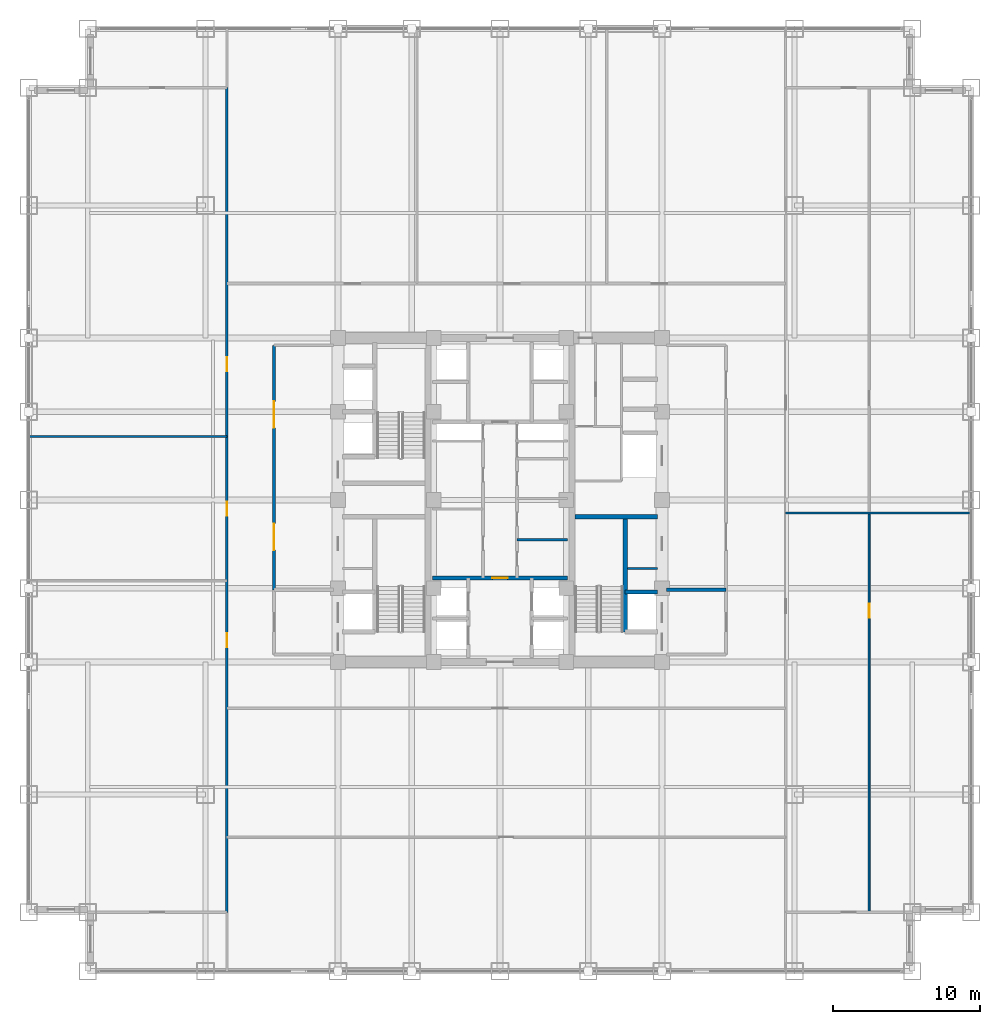
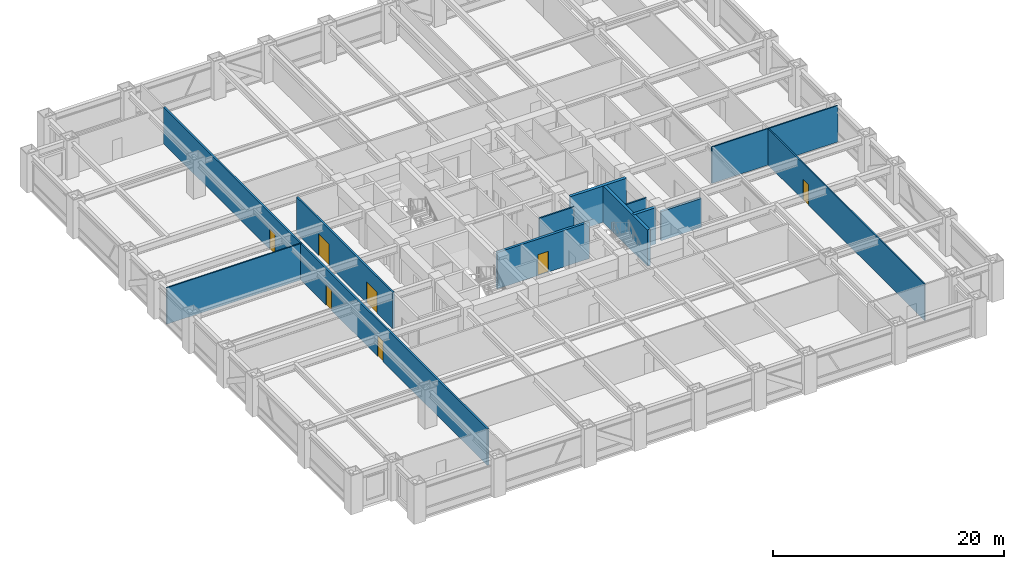
# One storey, part 24 of 28: 12 walls, 7 doors, 7 openings.
"""IFC4 building model written with IfcOpenShell, lengths in metres."""

import ifcopenshell
import ifcopenshell.guid

model = None  # the IFC model being written
_history = None  # IfcOwnerHistory: only IFC2X3 demands one
_inside = {}  # id of a spatial element -> (the spatial element, [elements in it])
_under = {}  # id of a project, library or spatial element -> (it, [spatial elements below it])
_declared = {}  # id of a project -> (the project, [libraries it declares])
_typed = {}  # id of a type object -> (the type object, [elements of that type])
_made_of = {}  # id of a material, layer set ... -> (it, [elements and type objects made of it])


def new_model(schema):
    """Start an empty IFC model of exactly this schema.

    Asked for "IFC4X3", IfcOpenShell would pick the latest addendum, in which some entities
    have other attributes; the version numbers below select the first issue.
    IFC2X3 requires an IfcOwnerHistory on every rooted entity: one is made here for all.
    """
    global model, _history
    if schema == "IFC4X3":
        model = ifcopenshell.file(schema_version=(4, 3, 0, 0))
    else:
        model = ifcopenshell.file(schema=schema)
    _inside.clear()
    _under.clear()
    _declared.clear()
    _typed.clear()
    _made_of.clear()
    _history = None
    if model.schema == "IFC2X3":
        org = make("IfcOrganization", Name="unknown")
        user = make(
            "IfcPersonAndOrganization",
            ThePerson=make("IfcPerson", FamilyName="unknown"),
            TheOrganization=org,
        )
        app = make(
            "IfcApplication",
            ApplicationDeveloper=org,
            Version="unknown",
            ApplicationFullName="unknown",
            ApplicationIdentifier="unknown",
        )
        _history = make(
            "IfcOwnerHistory",
            OwningUser=user,
            OwningApplication=app,
            ChangeAction="ADDED",
            CreationDate=0,
        )
    return model


def make(cls, **values):
    """One entity of the class cls with the attributes given. An attribute that is None is left unset."""
    return model.create_entity(
        cls, **{name: value for name, value in values.items() if value is not None}
    )


def rooted(cls, **values):
    """An entity with a GlobalId (a new one), such as an element, a storey or a relation."""
    return make(cls, GlobalId=ifcopenshell.guid.new(), OwnerHistory=_history, **values)


def si_unit(unit_type, name, prefix=None):
    """IfcSIUnit, for example si_unit("LENGTHUNIT", "METRE", prefix="MILLI")."""
    return make("IfcSIUnit", UnitType=unit_type, Prefix=prefix, Name=name)


def assignment(units):
    """IfcUnitAssignment: the units of a project."""
    return None if units is None else make("IfcUnitAssignment", Units=units)


def point(xyz):
    """IfcCartesianPoint."""
    return None if xyz is None else make("IfcCartesianPoint", Coordinates=xyz)


def direction(xyz):
    """IfcDirection."""
    return None if xyz is None else make("IfcDirection", DirectionRatios=xyz)


def frame(location, z_axis=None, x_axis=None):
    """IfcAxis2Placement3D, a coordinate frame: its origin and axes. An axis left out is left unset."""
    return make(
        "IfcAxis2Placement3D",
        Location=point(location),
        Axis=direction(z_axis),
        RefDirection=direction(x_axis),
    )


def frame_2d(location, x_axis=None):
    """IfcAxis2Placement2D, a coordinate frame in the plane: its origin and x axis."""
    return make(
        "IfcAxis2Placement2D", Location=point(location), RefDirection=direction(x_axis)
    )


def origin():
    """The frame at (0, 0, 0) with its axes left unset."""
    return frame((0.0, 0.0, 0.0))


def place(relative_to, where):
    """IfcLocalPlacement: puts the frame where relative to a parent placement (None: the world)."""
    return make(
        "IfcLocalPlacement", PlacementRelTo=relative_to, RelativePlacement=where
    )


def context(
    kind, dimensions, precision=None, world=None, true_north=None, identifier=None
):
    """IfcGeometricRepresentationContext, for example the 3D "Model" context."""
    return make(
        "IfcGeometricRepresentationContext",
        ContextIdentifier=identifier,
        ContextType=kind,
        CoordinateSpaceDimension=dimensions,
        Precision=precision,
        WorldCoordinateSystem=world,
        TrueNorth=true_north,
    )


def subcontext(parent, identifier, kind, view, scale=None):
    """IfcGeometricRepresentationSubContext, for example "Body" below "Model"."""
    return make(
        "IfcGeometricRepresentationSubContext",
        ContextIdentifier=identifier,
        ContextType=kind,
        ParentContext=parent,
        TargetScale=scale,
        TargetView=view,
    )


def project(units=None, contexts=None):
    """IfcProject with its units and contexts."""
    return rooted(
        "IfcProject",
        Name="project",
        RepresentationContexts=contexts,
        UnitsInContext=assignment(units),
    )


def spatial(cls, under=None, at=None, **own):
    """A site, building, storey or space (cls), placed at a placement, below another one or the project."""
    s = rooted(cls, ObjectPlacement=at, **own)
    if under is not None:
        _under.setdefault(under.id(), (under, []))[1].append(s)
    return s


def profile(cls, at=None, kind="AREA", **sizes):
    """A parametric profile (cls). Its sizes go by their IFC names, for example OverallWidth=200.0."""
    return make(cls, ProfileType=kind, Position=at, **sizes)


def rectangle(**sizes):
    """IfcRectangleProfileDef."""
    return profile("IfcRectangleProfileDef", **sizes)


def extrude(swept, where, along, depth):
    """IfcExtrudedAreaSolid: the profile swept, set in the frame where, extruded along a direction by depth."""
    return make(
        "IfcExtrudedAreaSolid",
        SweptArea=swept,
        Position=where,
        ExtrudedDirection=direction(along),
        Depth=depth,
    )


def shape(context_of_items, identifier, shape_type, items):
    """IfcShapeRepresentation: the items that make up one representation, for example the "Body"."""
    return make(
        "IfcShapeRepresentation",
        ContextOfItems=context_of_items,
        RepresentationIdentifier=identifier,
        RepresentationType=shape_type,
        Items=items,
    )


def source(mapping_origin, context_of_items, identifier, shape_type, items):
    """IfcRepresentationMap: a shape defined once, which mapped items show again and again."""
    return make(
        "IfcRepresentationMap",
        MappingOrigin=mapping_origin,
        MappedRepresentation=shape(context_of_items, identifier, shape_type, items),
    )


def transform(
    local_origin,
    x_axis=None,
    y_axis=None,
    z_axis=None,
    scale=None,
    scale2=None,
    scale3=None,
    uniform=True,
):
    """IfcCartesianTransformationOperator3D, or its non-uniform kind. x_axis, y_axis, z_axis: its Axis1, 2, 3."""
    if uniform:
        return make(
            "IfcCartesianTransformationOperator3D",
            Axis1=direction(x_axis),
            Axis2=direction(y_axis),
            LocalOrigin=point(local_origin),
            Scale=scale,
            Axis3=direction(z_axis),
        )
    return make(
        "IfcCartesianTransformationOperator3DnonUniform",
        Axis1=direction(x_axis),
        Axis2=direction(y_axis),
        LocalOrigin=point(local_origin),
        Scale=scale,
        Axis3=direction(z_axis),
        Scale2=scale2,
        Scale3=scale3,
    )


def mapped(mapping_source, mapping_target):
    """IfcMappedItem: shows the shape of a source again, moved by a transform."""
    return make(
        "IfcMappedItem", MappingSource=mapping_source, MappingTarget=mapping_target
    )


def material(Name=None, Category=None):
    """IfcMaterial."""
    return make("IfcMaterial", Name=Name, Category=Category)


def layer(
    of_material, thickness, ventilated=None, Name=None, Category=None, Priority=None
):
    """IfcMaterialLayer: one layer of a wall or slab, of a material (None: an air gap)."""
    return make(
        "IfcMaterialLayer",
        Material=of_material,
        LayerThickness=thickness,
        IsVentilated=ventilated,
        Name=Name,
        Category=Category,
        Priority=Priority,
    )


def layer_set(layers, Name=None):
    """IfcMaterialLayerSet."""
    return make("IfcMaterialLayerSet", MaterialLayers=layers, LayerSetName=Name)


def made_of(thing, what):
    """Note that an element or type object is made of a material, layer set ...; save() writes the relation."""
    if what is not None:
        _made_of.setdefault(what.id(), (what, []))[1].append(thing)
    return thing


def type_object(cls, material=None, **own):
    """A type object (cls), such as IfcWallType, which elements share."""
    return made_of(rooted(cls, **own), material)


def element(
    cls,
    number,
    at=None,
    inside=None,
    cuts=None,
    type_object=None,
    material=None,
    context=None,
    identifier="Body",
    shape_type=None,
    held_by="IfcProductDefinitionShape",
    body=None,
    shapes=None,
    **own,
):
    """One element of the class cls, such as IfcWall. Its Tag is "e" and its number.

    at: its placement. inside: the storey or other place that contains it. cuts: it is an
    opening in that element (IfcRelVoidsElement). A single representation is given by context,
    identifier, shape_type and body (its items); several are given by shapes. held_by: the class
    of the entity that holds the representations. save() writes the other relations.
    """
    e = rooted(cls, Tag="e%d" % number, ObjectPlacement=at, **own)
    if body is not None:
        shapes = [shape(context, identifier, shape_type, body)]
    if shapes is not None:
        e.Representation = make(held_by, Representations=shapes)
    if inside is not None:
        _inside.setdefault(inside.id(), (inside, []))[1].append(e)
    if cuts is not None:
        rooted(
            "IfcRelVoidsElement", RelatingBuildingElement=cuts, RelatedOpeningElement=e
        )
    if type_object is not None:
        _typed.setdefault(type_object.id(), (type_object, []))[1].append(e)
    return made_of(e, material)


def fill(opening, filler):
    """IfcRelFillsElement: the door or window that sits in an opening."""
    return rooted(
        "IfcRelFillsElement",
        RelatingOpeningElement=opening,
        RelatedBuildingElement=filler,
    )


def aggregate(whole, parts):
    """IfcRelAggregates: a whole, such as a stair, and the parts it consists of."""
    return rooted("IfcRelAggregates", RelatingObject=whole, RelatedObjects=parts)


def save(model, path):
    """Write the relations noted so far, then the file.

    IfcRelAggregates (storeys below a building ...), IfcRelContainedInSpatialStructure (elements
    in a storey), IfcRelDefinesByType, IfcRelAssociatesMaterial and IfcRelDeclares: one each for
    every whole, place, type object, material and project.
    """
    for whole, parts in _under.values():
        aggregate(whole, parts)
    for where, things in _inside.values():
        rooted(
            "IfcRelContainedInSpatialStructure",
            RelatedElements=things,
            RelatingStructure=where,
        )
    for kind, things in _typed.values():
        rooted("IfcRelDefinesByType", RelatedObjects=things, RelatingType=kind)
    for what, things in _made_of.values():
        rooted("IfcRelAssociatesMaterial", RelatedObjects=things, RelatingMaterial=what)
    for by, libraries in _declared.values():
        rooted("IfcRelDeclares", RelatingContext=by, RelatedDefinitions=libraries)
    model.write(path)


model = new_model("IFC4")

# Units and contexts
model_context = context("Model", 3, precision=1e-05, world=origin(), true_north=direction((0.0, 1.0)))
body_context = subcontext(model_context, "Body", "Model", "MODEL_VIEW")
ifc_project = project(units=[si_unit("LENGTHUNIT", "METRE"), si_unit("AREAUNIT", "SQUARE_METRE"), si_unit("VOLUMEUNIT", "CUBIC_METRE"), si_unit("PLANEANGLEUNIT", "RADIAN"), si_unit("MASSUNIT", "GRAM", prefix="KILO")], contexts=[model_context])

# Site, building, storey
site_placement = place(None, origin())
site = spatial("IfcSite", under=ifc_project, at=site_placement, CompositionType="ELEMENT")
building_placement = place(site_placement, origin())
building = spatial("IfcBuilding", under=site, at=building_placement, Name="Khorayat Bourse Tower", CompositionType="ELEMENT")
storey_placement = place(building_placement, frame((0.0, 0.0, 120.10009765625)))
storey = spatial("IfcBuildingStorey", under=building, at=storey_placement, Name="L27", CompositionType="ELEMENT", Elevation=120.10009765625)

# Walls
ifc_material_1 = material(Name="Concrete C50/60", Category="concrete")
ifc_layer_1 = layer(ifc_material_1, 0.300048828125)
ifc_layer_set_1 = layer_set([ifc_layer_1], Name="Concrete C50/60")
wall_type_1 = type_object("IfcWallType", Name="WAL-SHAFT-300", PredefinedType="SHEAR", material=ifc_layer_set_1)
shared_shape_1 = source(origin(), body_context, "Body", "SweptSolid", [
    extrude(rectangle(XDim=5.599853515625, YDim=0.300048828125, at=frame_2d((2.7998046875, 0.0))), origin(), (0.0, 0.0, 1.0), 3.83984375),
])
wall_1_placement = place(storey_placement, frame((5.10009765625, -1.14990234375, 0.0), z_axis=(0.0, 0.0, 1.0), x_axis=(1.0, 0.0, 0.0)))
element("IfcWall", 1, at=wall_1_placement, inside=storey, type_object=wall_type_1, Name="L27 Core Shear Wall ST3-DIV", PredefinedType="SHEAR", context=body_context, shape_type="MappedRepresentation", body=[
    mapped(shared_shape_1, transform((0.0, 0.0, 0.0), scale=1.0)),
])
ifc_material_2 = material(Name="Aerated concrete blockwork", Category="masonry")
ifc_layer_2 = layer(ifc_material_2, 0.219970703125)
ifc_layer_set_2 = layer_set([ifc_layer_2], Name="Aerated concrete blockwork")
wall_type_2 = type_object("IfcWallType", Name="WAL-PART-FF-220", PredefinedType="PARTITIONING", material=ifc_layer_set_2)
shared_shape_2 = source(origin(), body_context, "Body", "SweptSolid", [
    extrude(rectangle(XDim=4.050048828125, YDim=0.219970703125, at=frame_2d((2.02490234375, 0.0))), origin(), (0.0, 0.0, 1.0), 3.06689453125),
])
wall_2_placement = place(storey_placement, frame((11.300048828125, -6.10009765625, 0.0), z_axis=(0.0, 0.0, 1.0), x_axis=(1.0, 0.0, 0.0)))
element("IfcWall", 2, at=wall_2_placement, inside=storey, type_object=wall_type_2, Name="L27 Partition WAL-L27-FFLE-N", PredefinedType="PARTITIONING", context=body_context, shape_type="MappedRepresentation", body=[
    mapped(shared_shape_2, transform((0.0, 0.0, 0.0), scale=1.0)),
])
shared_shape_3 = source(origin(), body_context, "Body", "SweptSolid", [
    extrude(rectangle(XDim=7.800048828125, YDim=0.300048828125, at=frame_2d((3.89990234375, 0.0))), origin(), (0.0, 0.0, 1.0), 3.83984375),
])
wall_3_placement = place(storey_placement, frame((8.5, -8.949951171875, 0.0), z_axis=(0.0, 0.0, 1.0), x_axis=(0.0, 1.0, 0.0)))
element("IfcWall", 3, at=wall_3_placement, inside=storey, type_object=wall_type_1, Name="L27 Partition WAL-L27-EPIER-SP", PredefinedType="SHEAR", context=body_context, shape_type="MappedRepresentation", body=[
    mapped(shared_shape_3, transform((0.0, 0.0, 0.0), scale=1.0)),
])
shared_shape_4 = source(origin(), body_context, "Body", "SweptSolid", [
    extrude(rectangle(XDim=2.199951171875, YDim=0.300048828125, at=frame_2d((1.10009765625, 0.0))), origin(), (0.0, 0.0, 1.0), 3.83984375),
])
wall_4_placement = place(storey_placement, frame((8.5, -6.25, 0.0), z_axis=(0.0, 0.0, 1.0), x_axis=(1.0, 0.0, 0.0)))
element("IfcWall", 4, at=wall_4_placement, inside=storey, type_object=wall_type_1, Name="L27 Partition WAL-L27-EPIER-FF2N", PredefinedType="SHEAR", context=body_context, shape_type="MappedRepresentation", body=[
    mapped(shared_shape_4, transform((0.0, 0.0, 0.0), scale=1.0)),
])
ifc_material_3 = material(Name="Gypsum plasterboard twin-frame partition")
ifc_layer_3 = layer(ifc_material_3, 0.14990234375)
ifc_layer_set_3 = layer_set([ifc_layer_3], Name="Gypsum plasterboard twin-frame partition")
wall_type_3 = type_object("IfcWallType", Name="WAL-PART-SUITE-150", PredefinedType="PARTITIONING", material=ifc_layer_set_3)
shared_shape_5 = source(origin(), body_context, "Body", "SweptSolid", [
    extrude(rectangle(XDim=2.050048828125, YDim=0.14990234375, at=frame_2d((1.02490234375, 0.0))), origin(), (0.0, 0.0, 1.0), 3.83984375),
])
wall_5_placement = place(storey_placement, frame((8.64990234375, -4.64990234375, 0.0), z_axis=(0.0, 0.0, 1.0), x_axis=(1.0, 0.0, 0.0)))
element("IfcWall", 5, at=wall_5_placement, inside=storey, type_object=wall_type_3, Name="L27 Partition WAL-L27-ESRV-S0", PredefinedType="PARTITIONING", context=body_context, shape_type="MappedRepresentation", body=[
    mapped(shared_shape_5, transform((0.0, 0.0, 0.0), scale=1.0)),
])

# Wall, openings, doors
ifc_material_4 = material(Name="Gypsum plasterboard acoustic stud wall")
ifc_layer_4 = layer(ifc_material_4, 0.179931640625)
ifc_layer_set_4 = layer_set([ifc_layer_4], Name="Gypsum plasterboard acoustic stud wall")
wall_type_4 = type_object("IfcWallType", Name="WAL-PART-CORR-180", PredefinedType="PARTITIONING", material=ifc_layer_set_4)
shared_shape_6 = source(origin(), body_context, "Body", "SweptSolid", [
    extrude(rectangle(XDim=16.60009765625, YDim=0.179931640625, at=frame_2d((8.300048828125, 0.0))), origin(), (0.0, 0.0, 1.0), 3.83984375),
])
wall_6_placement = place(storey_placement, frame((-15.35009765625, -6.10009765625, 0.0), z_axis=(0.0, 0.0, 1.0), x_axis=(0.0, 1.0, 0.0)))
wall_6 = element("IfcWall", 6, at=wall_6_placement, inside=storey, type_object=wall_type_4, Name="L27 Partition WAL-L27-WLOB-W", PredefinedType="PARTITIONING", context=body_context, shape_type="MappedRepresentation", body=[
    mapped(shared_shape_6, transform((0.0, 0.0, 0.0), scale=1.0)),
])
shared_shape_7 = source(origin(), body_context, "Body", "SweptSolid", [
    extrude(rectangle(XDim=1.800048828125, YDim=2.25, at=frame_2d((0.89990234375, 1.125))), frame((0.0, 0.099853515625, 0.0), z_axis=(0.0, -1.0, 0.0), x_axis=(1.0, 0.0, 0.0)), (0.0, 0.0, 1.0), 0.199951171875),
])
opening_1_placement = place(wall_6_placement, frame((2.699951171875, 0.0, 0.0)))
opening_1 = element("IfcOpeningElement", 7, at=opening_1_placement, cuts=wall_6, Name="Opening DI-03", PredefinedType="OPENING", context=body_context, shape_type="MappedRepresentation", body=[
    mapped(shared_shape_7, transform((0.0, 0.0, 0.0), scale=1.0)),
])
opening_2_placement = place(wall_6_placement, frame((11.0, 0.0, 0.0)))
opening_2 = element("IfcOpeningElement", 8, at=opening_2_placement, cuts=wall_6, Name="Opening DI-03", PredefinedType="OPENING", context=body_context, shape_type="MappedRepresentation", body=[
    mapped(shared_shape_7, transform((0.0, 0.0, 0.0), scale=1.0)),
])
ifc_material_5 = material(Name="Fire-rated hardwood vision-panel double leaf", Category="wood")
door_type_1 = type_object("IfcDoorType", Name="DR-INT-CORR-1800", OperationType="NOTDEFINED", PredefinedType="DOOR", material=ifc_material_5)
shared_shape_8 = source(origin(), body_context, "Body", "SweptSolid", [
    extrude(rectangle(XDim=1.800048828125, YDim=2.25, at=frame_2d((0.89990234375, 1.125))), frame((0.0, 0.02490234375, 0.0), z_axis=(0.0, -1.0, 0.0), x_axis=(1.0, 0.0, 0.0)), (0.0, 0.0, 1.0), 0.050048828125),
])
door_1_placement = place(opening_1_placement, origin())
door_1 = element("IfcDoor", 9, at=door_1_placement, inside=storey, type_object=door_type_1, Name="L27 West Core Lobby South Door", OperationType="SINGLE_SWING_LEFT", OverallHeight=2.25, OverallWidth=1.800048828125, PredefinedType="DOOR", context=body_context, shape_type="MappedRepresentation", body=[
    mapped(shared_shape_8, transform((0.0, 0.0, 0.0), scale=1.0)),
])
fill(opening_1, door_1)
door_2_placement = place(opening_2_placement, origin())
door_2 = element("IfcDoor", 10, at=door_2_placement, inside=storey, type_object=door_type_1, Name="L27 West Core Lobby North Door", OperationType="SINGLE_SWING_RIGHT", OverallHeight=2.25, OverallWidth=1.800048828125, PredefinedType="DOOR", context=body_context, shape_type="MappedRepresentation", body=[
    mapped(shared_shape_8, transform((0.0, 0.0, 0.0), scale=1.0)),
])
fill(opening_2, door_2)

# Wall, opening, door
shared_shape_9 = source(origin(), body_context, "Body", "SweptSolid", [
    extrude(rectangle(XDim=9.2001953125, YDim=0.25, at=frame_2d((4.60009765625, 0.0))), origin(), (0.0, 0.0, 1.0), 3.83984375),
])
wall_7_placement = place(storey_placement, frame((-4.60009765625, -5.300048828125, 0.0), z_axis=(0.0, 0.0, 1.0), x_axis=(1.0, 0.0, 0.0)))
wall_7 = element("IfcWall", 11, at=wall_7_placement, inside=storey, type_object=wall_type_1, Name="L27 Partition WAL-L27-B1-N", PredefinedType="SHEAR", context=body_context, shape_type="MappedRepresentation", body=[
    mapped(shared_shape_9, transform((0.0, 0.0, 0.0), scale=1.0)),
])
shared_shape_10 = source(origin(), body_context, "Body", "SweptSolid", [
    extrude(rectangle(XDim=1.050048828125, YDim=2.199951171875, at=frame_2d((0.52490234375, 1.10009765625))), frame((0.0, 0.135009765625, 0.0), z_axis=(0.0, -1.0, 0.0), x_axis=(1.0, 0.0, 0.0)), (0.0, 0.0, 1.0), 0.27001953125),
])
opening_3_placement = place(wall_7_placement, frame((4.074951171875, 0.0, 0.0)))
opening_3 = element("IfcOpeningElement", 12, at=opening_3_placement, cuts=wall_7, Name="Opening DI-04", PredefinedType="OPENING", context=body_context, shape_type="MappedRepresentation", body=[
    mapped(shared_shape_10, transform((0.0, 0.0, 0.0), scale=1.0)),
])
ifc_material_6 = material(Name="Fire-rated oak veneer suite entrance door")
door_type_2 = type_object("IfcDoorType", Name="DR-INT-SUITE-1050", OperationType="NOTDEFINED", PredefinedType="DOOR", material=ifc_material_6)
shared_shape_11 = source(origin(), body_context, "Body", "SweptSolid", [
    extrude(rectangle(XDim=1.050048828125, YDim=2.199951171875, at=frame_2d((0.52490234375, 1.10009765625))), frame((0.0, 0.02490234375, 0.0), z_axis=(0.0, -1.0, 0.0), x_axis=(1.0, 0.0, 0.0)), (0.0, 0.0, 1.0), 0.050048828125),
])
door_3_placement = place(opening_3_placement, origin())
door_3 = element("IfcDoor", 13, at=door_3_placement, inside=storey, type_object=door_type_2, Name="L27 Core Spine South Door", OperationType="SINGLE_SWING_LEFT", OverallHeight=2.199951171875, OverallWidth=1.050048828125, PredefinedType="DOOR", context=body_context, shape_type="MappedRepresentation", body=[
    mapped(shared_shape_11, transform((0.0, 0.0, 0.0), scale=1.0)),
])
fill(opening_3, door_3)

# Walls
ifc_material_7 = material(Name="Moisture-resistant masonry partition", Category="masonry")
ifc_layer_5 = layer(ifc_material_7, 0.139892578125)
ifc_layer_set_5 = layer_set([ifc_layer_5], Name="Moisture-resistant masonry partition")
wall_type_5 = type_object("IfcWallType", Name="WAL-PART-WET-140", PredefinedType="PARTITIONING", material=ifc_layer_set_5)
shared_shape_12 = source(origin(), body_context, "Body", "SweptSolid", [
    extrude(rectangle(XDim=3.4501953125, YDim=0.139892578125, at=frame_2d((1.72509765625, 0.0))), origin(), (0.0, 0.0, 1.0), 3.83984375),
])
wall_8_placement = place(storey_placement, frame((1.14990234375, -2.699951171875, 0.0), z_axis=(0.0, 0.0, 1.0), x_axis=(1.0, 0.0, 0.0)))
element("IfcWall", 14, at=wall_8_placement, inside=storey, type_object=wall_type_5, Name="L27 Partition WAL-L27-CME-D1", PredefinedType="PARTITIONING", context=body_context, shape_type="MappedRepresentation", body=[
    mapped(shared_shape_12, transform((0.0, 0.0, 0.0), scale=1.0)),
])
ifc_material_8 = material(Name="Gypsum plasterboard partition")
ifc_layer_6 = layer(ifc_material_8, 0.125)
ifc_layer_set_6 = layer_set([ifc_layer_6], Name="Gypsum plasterboard partition")
wall_type_6 = type_object("IfcWallType", Name="WAL-PART-ROOM-125", PredefinedType="PARTITIONING", material=ifc_layer_set_6)
shared_shape_13 = source(origin(), body_context, "Body", "SweptSolid", [
    extrude(rectangle(XDim=12.60009765625, YDim=0.125, at=frame_2d((6.300048828125, 0.0))), origin(), (0.0, 0.0, 1.0), 3.83984375),
])
wall_9_placement = place(storey_placement, frame((19.39990234375, -0.87890625, 0.0), z_axis=(0.0, 0.0, 1.0), x_axis=(1.0, 0.0, 0.0)))
element("IfcWall", 15, at=wall_9_placement, inside=storey, type_object=wall_type_6, Name="L27 Partition WAL-L27-EDV-1", PredefinedType="PARTITIONING", context=body_context, shape_type="MappedRepresentation", body=[
    mapped(shared_shape_13, transform((0.0, 0.0, 0.0), scale=1.0)),
])

# Wall, openings, doors
shared_shape_14 = source(origin(), body_context, "Body", "SweptSolid", [
    extrude(rectangle(XDim=56.0, YDim=0.179931640625, at=frame_2d((28.0, 0.0))), origin(), (0.0, 0.0, 1.0), 3.83984375),
])
wall_10_placement = place(storey_placement, frame((-18.550048828125, -28.0, 0.0), z_axis=(0.0, 0.0, 1.0), x_axis=(0.0, 1.0, 0.0)))
wall_10 = element("IfcWall", 16, at=wall_10_placement, inside=storey, type_object=wall_type_4, Name="L27 Partition WAL-L27-WCORR", PredefinedType="PARTITIONING", context=body_context, shape_type="MappedRepresentation", body=[
    mapped(shared_shape_14, transform((0.0, 0.0, 0.0), scale=1.0)),
])
shared_shape_15 = source(origin(), body_context, "Body", "SweptSolid", [
    extrude(rectangle(XDim=0.949951171875, YDim=2.14990234375, at=frame_2d((0.47509765625, 1.074951171875))), frame((0.0, 0.099853515625, 0.0), z_axis=(0.0, -1.0, 0.0), x_axis=(1.0, 0.0, 0.0)), (0.0, 0.0, 1.0), 0.199951171875),
])
opening_4_placement = place(wall_10_placement, frame((18.00244140625, 0.0, 0.0)))
opening_4 = element("IfcOpeningElement", 17, at=opening_4_placement, cuts=wall_10, Name="Opening DI-05", PredefinedType="OPENING", context=body_context, shape_type="MappedRepresentation", body=[
    mapped(shared_shape_15, transform((0.0, 0.0, 0.0), scale=1.0)),
])
opening_5_placement = place(wall_10_placement, frame((26.9345703125, 0.0, 0.0)))
opening_5 = element("IfcOpeningElement", 18, at=opening_5_placement, cuts=wall_10, Name="Opening DI-05", PredefinedType="OPENING", context=body_context, shape_type="MappedRepresentation", body=[
    mapped(shared_shape_15, transform((0.0, 0.0, 0.0), scale=1.0)),
])
opening_6_placement = place(wall_10_placement, frame((36.73193359375, 0.0, 0.0)))
opening_6 = element("IfcOpeningElement", 19, at=opening_6_placement, cuts=wall_10, Name="Opening DI-05", PredefinedType="OPENING", context=body_context, shape_type="MappedRepresentation", body=[
    mapped(shared_shape_15, transform((0.0, 0.0, 0.0), scale=1.0)),
])
ifc_material_9 = material(Name="Acoustic oak veneer office door")
door_type_3 = type_object("IfcDoorType", Name="DR-INT-OFFICE-950", OperationType="NOTDEFINED", PredefinedType="DOOR", material=ifc_material_9)
shared_shape_16 = source(origin(), body_context, "Body", "SweptSolid", [
    extrude(rectangle(XDim=0.949951171875, YDim=2.14990234375, at=frame_2d((0.47509765625, 1.074951171875))), frame((0.0, 0.02490234375, 0.0), z_axis=(0.0, -1.0, 0.0), x_axis=(1.0, 0.0, 0.0)), (0.0, 0.0, 1.0), 0.050048828125),
])
door_4_placement = place(opening_4_placement, origin())
door_4 = element("IfcDoor", 20, at=door_4_placement, inside=storey, type_object=door_type_3, Name="L27 Clearing Records Archive Store W1 Door", OperationType="SINGLE_SWING_RIGHT", OverallHeight=2.14990234375, OverallWidth=0.949951171875, PredefinedType="DOOR", context=body_context, shape_type="MappedRepresentation", body=[
    mapped(shared_shape_16, transform((0.0, 0.0, 0.0), scale=1.0)),
])
fill(opening_4, door_4)
door_5_placement = place(opening_5_placement, origin())
door_5 = element("IfcDoor", 21, at=door_5_placement, inside=storey, type_object=door_type_3, Name="L27 Occupational First Aid Clinic W2 Door", OperationType="SINGLE_SWING_LEFT", OverallHeight=2.14990234375, OverallWidth=0.949951171875, PredefinedType="DOOR", context=body_context, shape_type="MappedRepresentation", body=[
    mapped(shared_shape_16, transform((0.0, 0.0, 0.0), scale=1.0)),
])
fill(opening_5, door_5)
door_6_placement = place(opening_6_placement, origin())
door_6 = element("IfcDoor", 22, at=door_6_placement, inside=storey, type_object=door_type_3, Name="L27 Staff Tea Pantry W3 Door", OperationType="SINGLE_SWING_RIGHT", OverallHeight=2.14990234375, OverallWidth=0.949951171875, PredefinedType="DOOR", context=body_context, shape_type="MappedRepresentation", body=[
    mapped(shared_shape_16, transform((0.0, 0.0, 0.0), scale=1.0)),
])
fill(opening_6, door_6)

# Wall
shared_shape_17 = source(origin(), body_context, "Body", "SweptSolid", [
    extrude(rectangle(XDim=13.449951171875, YDim=0.125, at=frame_2d((6.72509765625, 0.0))), origin(), (0.0, 0.0, 1.0), 3.83984375),
])
wall_11_placement = place(storey_placement, frame((-32.0, 4.31396484375, 0.0), z_axis=(0.0, 0.0, 1.0), x_axis=(1.0, 0.0, 0.0)))
element("IfcWall", 23, at=wall_11_placement, inside=storey, type_object=wall_type_6, Name="L27 Partition WAL-L27-WDV-2", PredefinedType="PARTITIONING", context=body_context, shape_type="MappedRepresentation", body=[
    mapped(shared_shape_17, transform((0.0, 0.0, 0.0), scale=1.0)),
])

# Wall, opening, door
shared_shape_18 = source(origin(), body_context, "Body", "SweptSolid", [
    extrude(rectangle(XDim=27.12109375, YDim=0.125, at=frame_2d((13.560546875, 0.0))), origin(), (0.0, 0.0, 1.0), 3.83984375),
])
wall_12_placement = place(storey_placement, frame((25.070068359375, -28.0, 0.0), z_axis=(0.0, 0.0, 1.0), x_axis=(0.0, 1.0, 0.0)))
wall_12 = element("IfcWall", 24, at=wall_12_placement, inside=storey, type_object=wall_type_6, Name="L27 Partition WAL-L27-EDP-1", PredefinedType="PARTITIONING", context=body_context, shape_type="MappedRepresentation", body=[
    mapped(shared_shape_18, transform((0.0, 0.0, 0.0), scale=1.0)),
])
shared_shape_19 = source(origin(), body_context, "Body", "SweptSolid", [
    extrude(rectangle(XDim=0.949951171875, YDim=2.14990234375, at=frame_2d((0.47509765625, 1.074951171875))), frame((0.0, 0.072509765625, 0.0), z_axis=(0.0, -1.0, 0.0), x_axis=(1.0, 0.0, 0.0)), (0.0, 0.0, 1.0), 0.14501953125),
])
opening_7_placement = place(wall_12_placement, frame((20.010498046875, 0.0, 0.0)))
opening_7 = element("IfcOpeningElement", 25, at=opening_7_placement, cuts=wall_12, Name="Opening DI-05", PredefinedType="OPENING", context=body_context, shape_type="MappedRepresentation", body=[
    mapped(shared_shape_19, transform((0.0, 0.0, 0.0), scale=1.0)),
])
door_7_placement = place(opening_7_placement, origin())
door_7 = element("IfcDoor", 26, at=door_7_placement, inside=storey, type_object=door_type_3, Name="L27 Market Reference Library E1B Door", OperationType="SINGLE_SWING_RIGHT", OverallHeight=2.14990234375, OverallWidth=0.949951171875, PredefinedType="DOOR", context=body_context, shape_type="MappedRepresentation", body=[
    mapped(shared_shape_16, transform((0.0, 0.0, 0.0), scale=1.0)),
])
fill(opening_7, door_7)

save(model, "model.ifc")
